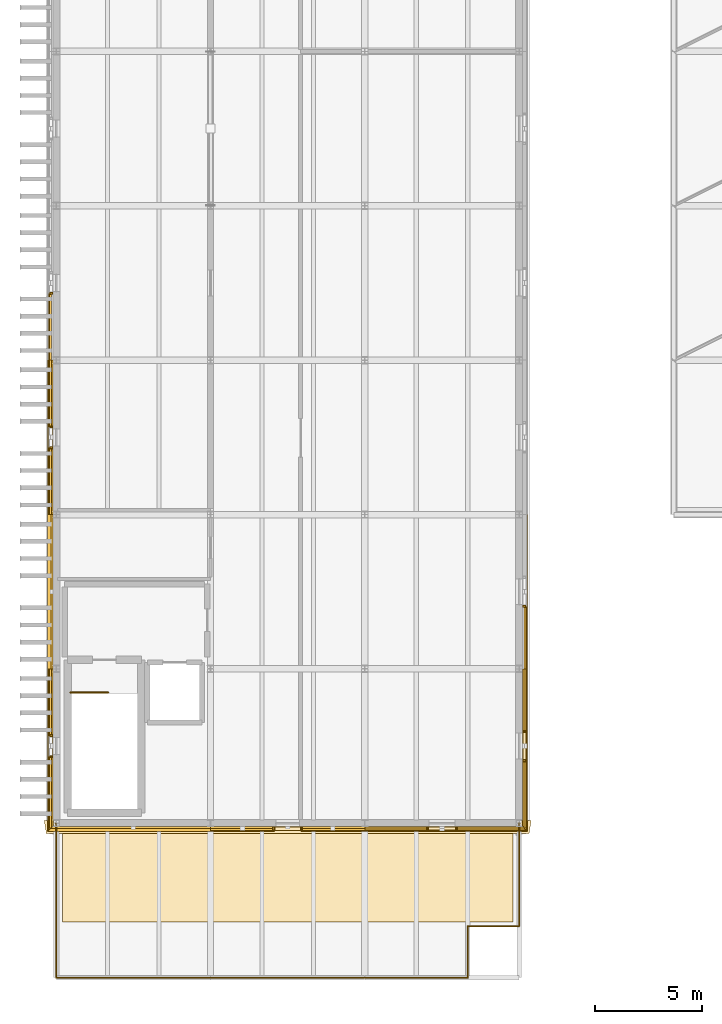
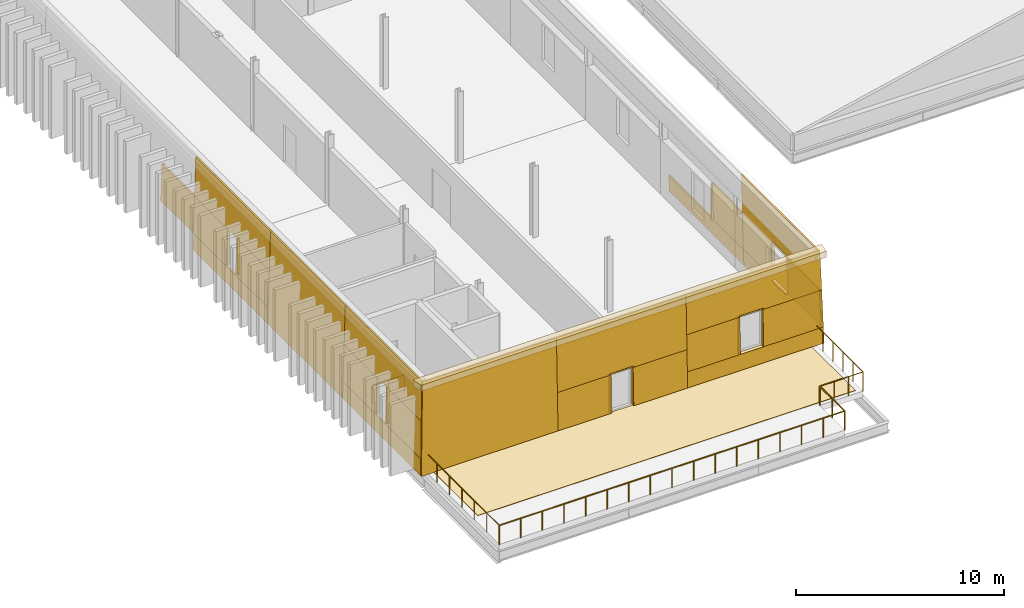
# One storey, part 37 of 44: 43 coverings, 6 railings.
"""IFC4 building model written with IfcOpenShell, lengths in metres."""

from ifc_helpers import new_model, si_unit, direction, frame, origin, origin_2d, place, context, subcontext, project, spatial, polyline, circle, outline, extrude, material, layer, layer_set, type_object, element, save


model = new_model("IFC4")

# Units and contexts
model_context = context("Model", 3, precision=1e-05, world=origin(), true_north=direction((0.0, 1.0)))
body_context = subcontext(model_context, "Body", "Model", "MODEL_VIEW")
ifc_project = project(units=[si_unit("LENGTHUNIT", "METRE"), si_unit("AREAUNIT", "SQUARE_METRE"), si_unit("VOLUMEUNIT", "CUBIC_METRE"), si_unit("PLANEANGLEUNIT", "RADIAN"), si_unit("MASSUNIT", "GRAM", prefix="KILO")], contexts=[model_context])

# Site, building, storey
site_placement = place(None, origin())
site = spatial("IfcSite", under=ifc_project, at=site_placement, CompositionType="ELEMENT")
building_placement = place(site_placement, origin())
building = spatial("IfcBuilding", under=site, at=building_placement, Name="Narikvali Park Central Library", CompositionType="ELEMENT")
storey_placement = place(building_placement, frame((0.0, 0.0, 22.800048828125)))
storey = spatial("IfcBuildingStorey", under=building, at=storey_placement, Name="L05", CompositionType="ELEMENT", Elevation=22.800048828125)

# Coverings
ifc_material_1 = material(Name="White Honed Limestone Cladding", Category="masonry")
ifc_layer_1 = layer(ifc_material_1, 0.0849609375, Name="White Honed Limestone Cladding")
ifc_layer_set_1 = layer_set([ifc_layer_1], Name="White Honed Limestone Cladding")
covering_type_1 = type_object("IfcCoveringType", Name="Battered White Limestone Facade Cladding Panel", PredefinedType="CLADDING", material=ifc_layer_set_1)
covering_1_placement = place(storey_placement, frame((-0.393310546875, 42.806884765625, 0.0), z_axis=(0.0, -0.999598438818, 0.028336568457), x_axis=(1.0, 0.0, 0.0)))
element("IfcCovering", 1, at=covering_1_placement, inside=storey, type_object=covering_type_1, Name="V5 L05 S Battered Limestone Panel B01", PredefinedType="CLADDING", context=body_context, shape_type="SweptSolid", body=[
    extrude(outline(polyline([(0.0, 0.0), (7.59326171875, 0.0), (7.59326171875, 5.402071606007518), (0.1533203125, 5.402071606007518), (0.0, 0.0)])), origin(), (0.0, 0.0, -1.0), 0.0849609375),
])
for number, where, z_axis, x_axis, name in (
    (2, (7.199951171875, 42.806884765625, 0.0), (0.0, -0.999598724093, 0.028326503353), (1.0, 0.0, 0.0), "V5 L05 S Battered Portal Pier L B02"),
    (3, (11.409912109375, 42.806884765625, 0.0), (0.0, -0.999598724093, 0.028326503353), (1.0, 0.0, 0.0), "V5 L05 S Battered Portal Pier R B02"),
):
    element("IfcCovering", number, at=place(storey_placement, frame(where, z_axis=z_axis, x_axis=x_axis)), inside=storey, type_object=covering_type_1, Name=name, PredefinedType="CLADDING", context=body_context, shape_type="SweptSolid", body=[
        extrude(outline(polyline([(0.0, 0.0), (2.989990234375, 0.0), (2.989990234375, 2.2408894493218945), (0.0, 2.2408894493218945), (0.0, 0.0)])), origin(), (0.0, 0.0, -1.0), 0.0849609375),
    ])
covering_2_placement = place(storey_placement, frame((7.199951171875, 42.870361328125, 2.239990234375), z_axis=(0.0, -0.999598236532, 0.028343703377), x_axis=(1.0, 0.0, 0.0)))
element("IfcCovering", 4, at=covering_2_placement, inside=storey, type_object=covering_type_1, Name="V5 L05 S Battered Portal Header B02", PredefinedType="CLADDING", context=body_context, shape_type="SweptSolid", body=[
    extrude(outline(polyline([(0.0, 0.0), (7.199951171875, 0.0), (7.199951171875, 3.1611821568797516), (0.0, 3.1611821568797516), (0.0, 0.0)])), origin(), (0.0, 0.0, -1.0), 0.0849609375),
])
covering_3_placement = place(storey_placement, frame((14.39990234375, 42.806884765625, 0.0), z_axis=(0.0, -0.999600632529, 0.02825907725), x_axis=(1.0, 0.0, 0.0)))
element("IfcCovering", 5, at=covering_3_placement, inside=storey, type_object=covering_type_1, Name="V5 L05 S Battered Limestone Spandrel B03", PredefinedType="CLADDING", context=body_context, shape_type="SweptSolid", body=[
    extrude(outline(polyline([(0.0, 0.0), (7.59326171875, 0.0), (7.56640625, 0.9503307030441919), (0.0, 0.9503307030441919), (0.0, 0.0)])), origin(), (0.0, 0.0, -1.0), 0.0849609375),
])
covering_4_placement = place(storey_placement, frame((14.39990234375, 42.894775390625, 3.099853515625), z_axis=(0.0, -0.999598637315, 0.028329565456), x_axis=(1.0, 0.0, 0.0)))
element("IfcCovering", 6, at=covering_4_placement, inside=storey, type_object=covering_type_1, Name="V5 L05 S Battered Limestone Lintel B03", PredefinedType="CLADDING", context=body_context, shape_type="SweptSolid", body=[
    extrude(outline(polyline([(0.0, 0.0), (7.50537109375, 0.0), (7.440185546875, 2.3009723525676224), (0.0, 2.3009723525676224), (0.0, 0.0)])), origin(), (0.0, 0.0, -1.0), 0.0849609375),
])
covering_5_placement = place(storey_placement, frame((14.39990234375, 42.833740234375, 0.949951171875), z_axis=(0.0, -0.99959725493, 0.028378300447), x_axis=(1.0, 0.0, 0.0)))
element("IfcCovering", 7, at=covering_5_placement, inside=storey, type_object=covering_type_1, Name="V5 L05 S Battered Limestone Jamb Pier L B03", PredefinedType="CLADDING", context=body_context, shape_type="SweptSolid", body=[
    extrude(outline(polyline([(0.0, 0.0), (2.960205078125, 0.0), (2.960205078125, 2.150768555182125), (0.0, 2.150768555182125), (0.0, 0.0)])), origin(), (0.0, 0.0, -1.0), 0.0849609375),
])
covering_6_placement = place(storey_placement, frame((18.639892578125, 42.833740234375, 0.949951171875), z_axis=(0.0, -0.99959725493, 0.028378300447), x_axis=(1.0, 0.0, 0.0)))
element("IfcCovering", 8, at=covering_6_placement, inside=storey, type_object=covering_type_1, Name="V5 L05 S Battered Limestone Jamb Pier R B03", PredefinedType="CLADDING", context=body_context, shape_type="SweptSolid", body=[
    extrude(outline(polyline([(0.0, 0.0), (3.326416015625, 0.0), (3.265380859375, 2.150768555182125), (0.0, 2.150768555182125), (0.0, 0.0)])), origin(), (0.0, 0.0, -1.0), 0.0849609375),
])
covering_7_placement = place(storey_placement, frame((21.9931640625, 42.891845703125, 0.0), z_axis=(0.999600632529, 0.0, 0.02825907725), x_axis=(0.0, 1.0, 0.0)))
element("IfcCovering", 9, at=covering_7_placement, inside=storey, type_object=covering_type_1, Name="V5 L05 E Battered Limestone Spandrel B01", PredefinedType="CLADDING", context=body_context, shape_type="SweptSolid", body=[
    extrude(outline(polyline([(0.0, 0.0), (7.508056640625, 0.0), (7.508056640625, 0.9503307030441919), (0.02685546875, 0.9503307030441919), (0.0, 0.0)])), origin(), (0.0, 0.0, -1.0), 0.0849609375),
])
covering_8_placement = place(storey_placement, frame((21.9052734375, 42.979736328125, 3.099853515625), z_axis=(0.999598637315, 0.0, 0.028329565456), x_axis=(0.0, 1.0, 0.0)))
element("IfcCovering", 10, at=covering_8_placement, inside=storey, type_object=covering_type_1, Name="V5 L05 E Battered Limestone Lintel B01", PredefinedType="CLADDING", context=body_context, shape_type="SweptSolid", body=[
    extrude(outline(polyline([(0.0, 0.0), (7.420166015625, 0.0), (7.420166015625, 2.3009723525676224), (0.065185546875, 2.3009723525676224), (0.0, 0.0)])), origin(), (0.0, 0.0, -1.0), 0.0849609375),
])
covering_9_placement = place(storey_placement, frame((21.96630859375, 42.918701171875, 0.949951171875), z_axis=(0.99959725493, 0.0, 0.028378300447), x_axis=(0.0, 1.0, 0.0)))
element("IfcCovering", 11, at=covering_9_placement, inside=storey, type_object=covering_type_1, Name="V5 L05 E Battered Limestone Jamb Pier L B01", PredefinedType="CLADDING", context=body_context, shape_type="SweptSolid", body=[
    extrude(outline(polyline([(0.0, 0.0), (3.2412109375, 0.0), (3.2412109375, 2.150768555182125), (0.06103515625, 2.150768555182125), (0.0, 0.0)])), origin(), (0.0, 0.0, -1.0), 0.0849609375),
])
covering_10_placement = place(storey_placement, frame((21.96630859375, 47.43994140625, 0.949951171875), z_axis=(0.99959725493, 0.0, 0.028378300447), x_axis=(0.0, 1.0, 0.0)))
element("IfcCovering", 12, at=covering_10_placement, inside=storey, type_object=covering_type_1, Name="V5 L05 E Battered Limestone Jamb Pier R B01", PredefinedType="CLADDING", context=body_context, shape_type="SweptSolid", body=[
    extrude(outline(polyline([(0.0, 0.0), (2.9599609375, 0.0), (2.9599609375, 2.150768555182125), (0.0, 2.150768555182125), (0.0, 0.0)])), origin(), (0.0, 0.0, -1.0), 0.0849609375),
])
covering_11_placement = place(storey_placement, frame((21.9931640625, 50.39990234375, 0.0), z_axis=(0.999600632529, 0.0, 0.02825907725), x_axis=(0.0, 1.0, 0.0)))
element("IfcCovering", 13, at=covering_11_placement, inside=storey, type_object=covering_type_1, Name="V5 L05 E Battered Limestone Spandrel B02", PredefinedType="CLADDING", context=body_context, shape_type="SweptSolid", body=[
    extrude(outline(polyline([(0.0, 0.0), (7.2001953125, 0.0), (7.2001953125, 0.950330703044192), (0.0, 0.950330703044192), (0.0, 0.0)])), origin(), (0.0, 0.0, -1.0), 0.0849609375),
])
covering_12_placement = place(storey_placement, frame((21.96630859375, 50.39990234375, 0.949951171875), z_axis=(0.99959725493, 0.0, 0.028378300447), x_axis=(0.0, 1.0, 0.0)))
element("IfcCovering", 14, at=covering_12_placement, inside=storey, type_object=covering_type_1, Name="V5 L05 E Battered Limestone Jamb Pier L B02", PredefinedType="CLADDING", context=body_context, shape_type="SweptSolid", body=[
    extrude(outline(polyline([(0.0, 0.0), (2.960205078125, 0.0), (2.960205078125, 2.150768555182125), (0.0, 2.150768555182125), (0.0, 0.0)])), origin(), (0.0, 0.0, -1.0), 0.0849609375),
])
covering_13_placement = place(storey_placement, frame((-0.3662109375, 67.9599609375, 0.949951171875), z_axis=(-0.99959725493, 0.0, 0.028378300447), x_axis=(0.0, -1.0, 0.0)))
element("IfcCovering", 15, at=covering_13_placement, inside=storey, type_object=covering_type_1, Name="V5 L05 W Battered Limestone Jamb Pier R B06", PredefinedType="CLADDING", context=body_context, shape_type="SweptSolid", body=[
    extrude(outline(polyline([(0.0, 0.0), (3.159912109375, 0.0), (3.159912109375, 2.150768555182125), (0.0, 2.150768555182125), (0.0, 0.0)])), origin(), (0.0, 0.0, -1.0), 0.0849609375),
])
covering_14_placement = place(storey_placement, frame((-0.393310546875, 64.800048828125, 0.0), z_axis=(-0.999593342746, 0.0, 0.028515769994), x_axis=(0.0, -1.0, 0.0)))
element("IfcCovering", 16, at=covering_14_placement, inside=storey, type_object=covering_type_1, Name="V5 L05 W Battered Limestone Spandrel B07", PredefinedType="CLADDING", context=body_context, shape_type="SweptSolid", body=[
    extrude(outline(polyline([(0.0, 0.0), (7.199951171875, 0.0), (7.199951171875, 0.9503376335676513), (0.0, 0.9503376335676513), (0.0, 0.0)])), origin(), (0.0, 0.0, -1.0), 0.0849609375),
])
covering_15_placement = place(storey_placement, frame((-0.30517578125, 64.800048828125, 3.099853515625), z_axis=(-0.999598637315, 0.0, 0.028329565456), x_axis=(0.0, -1.0, 0.0)))
element("IfcCovering", 17, at=covering_15_placement, inside=storey, type_object=covering_type_1, Name="V5 L05 W Battered Limestone Lintel B07", PredefinedType="CLADDING", context=body_context, shape_type="SweptSolid", body=[
    extrude(outline(polyline([(0.0, 0.0), (7.199951171875, 0.0), (7.199951171875, 2.3009723525676224), (0.0, 2.3009723525676224), (0.0, 0.0)])), origin(), (0.0, 0.0, -1.0), 0.0849609375),
])
covering_16_placement = place(storey_placement, frame((-0.3662109375, 64.800048828125, 0.949951171875), z_axis=(-0.99959725493, 0.0, 0.028378300447), x_axis=(0.0, -1.0, 0.0)))
element("IfcCovering", 18, at=covering_16_placement, inside=storey, type_object=covering_type_1, Name="V5 L05 W Battered Limestone Jamb Pier L B07", PredefinedType="CLADDING", context=body_context, shape_type="SweptSolid", body=[
    extrude(outline(polyline([(0.0, 0.0), (3.16015625, 0.0), (3.16015625, 2.150768555182125), (0.0, 2.150768555182125), (0.0, 0.0)])), origin(), (0.0, 0.0, -1.0), 0.0849609375),
])
covering_17_placement = place(storey_placement, frame((-0.3662109375, 60.760009765625, 0.949951171875), z_axis=(-0.99959725493, 0.0, 0.028378300447), x_axis=(0.0, -1.0, 0.0)))
element("IfcCovering", 19, at=covering_17_placement, inside=storey, type_object=covering_type_1, Name="V5 L05 W Battered Limestone Jamb Pier R B07", PredefinedType="CLADDING", context=body_context, shape_type="SweptSolid", body=[
    extrude(outline(polyline([(0.0, 0.0), (3.159912109375, 0.0), (3.159912109375, 2.150768555182125), (0.0, 2.150768555182125), (0.0, 0.0)])), origin(), (0.0, 0.0, -1.0), 0.0849609375),
])
covering_18_placement = place(storey_placement, frame((-0.393310546875, 57.60009765625, 0.0), z_axis=(-0.999597157674, 0.0, 0.028381725971), x_axis=(0.0, -1.0, 0.0)))
element("IfcCovering", 20, at=covering_18_placement, inside=storey, type_object=covering_type_1, Name="V5 L05 W Battered Limestone Panel B08", PredefinedType="CLADDING", context=body_context, shape_type="SweptSolid", body=[
    extrude(outline(polyline([(0.0, 0.0), (7.2001953125, 0.0), (7.2001953125, 5.402078529627447), (0.0, 5.402078529627447), (0.0, 0.0)])), origin(), (0.0, 0.0, -1.0), 0.0849609375),
])
covering_19_placement = place(storey_placement, frame((-0.393310546875, 50.39990234375, 0.0), z_axis=(-0.999593342746, 0.0, 0.028515769994), x_axis=(0.0, -1.0, 0.0)))
element("IfcCovering", 21, at=covering_19_placement, inside=storey, type_object=covering_type_1, Name="V5 L05 W Battered Limestone Spandrel B09", PredefinedType="CLADDING", context=body_context, shape_type="SweptSolid", body=[
    extrude(outline(polyline([(0.0, 0.0), (7.508056640625, 0.0), (7.481201171875, 0.9503376335676512), (0.0, 0.9503376335676512), (0.0, 0.0)])), origin(), (0.0, 0.0, -1.0), 0.0849609375),
])
covering_20_placement = place(storey_placement, frame((-0.30517578125, 50.39990234375, 3.099853515625), z_axis=(-0.999598637315, 0.0, 0.028329565456), x_axis=(0.0, -1.0, 0.0)))
element("IfcCovering", 22, at=covering_20_placement, inside=storey, type_object=covering_type_1, Name="V5 L05 W Battered Limestone Lintel B09", PredefinedType="CLADDING", context=body_context, shape_type="SweptSolid", body=[
    extrude(outline(polyline([(0.0, 0.0), (7.420166015625, 0.0), (7.35498046875, 2.3009723525676224), (0.0, 2.3009723525676224), (0.0, 0.0)])), origin(), (0.0, 0.0, -1.0), 0.0849609375),
])
covering_21_placement = place(storey_placement, frame((-0.3662109375, 50.39990234375, 0.949951171875), z_axis=(-0.99959725493, 0.0, 0.028378300447), x_axis=(0.0, -1.0, 0.0)))
element("IfcCovering", 23, at=covering_21_placement, inside=storey, type_object=covering_type_1, Name="V5 L05 W Battered Limestone Jamb Pier L B09", PredefinedType="CLADDING", context=body_context, shape_type="SweptSolid", body=[
    extrude(outline(polyline([(0.0, 0.0), (3.159912109375, 0.0), (3.159912109375, 2.150768555182125), (0.0, 2.150768555182125), (0.0, 0.0)])), origin(), (0.0, 0.0, -1.0), 0.0849609375),
])
covering_22_placement = place(storey_placement, frame((-0.3662109375, 46.360107421875, 0.949951171875), z_axis=(-0.99959725493, 0.0, 0.028378300447), x_axis=(0.0, -1.0, 0.0)))
element("IfcCovering", 24, at=covering_22_placement, inside=storey, type_object=covering_type_1, Name="V5 L05 W Battered Limestone Jamb Pier R B09", PredefinedType="CLADDING", context=body_context, shape_type="SweptSolid", body=[
    extrude(outline(polyline([(0.0, 0.0), (3.44140625, 0.0), (3.38037109375, 2.150768555182125), (0.0, 2.150768555182125), (0.0, 0.0)])), origin(), (0.0, 0.0, -1.0), 0.0849609375),
])
ifc_material_2 = material(Name="White Carved Limestone Cornice", Category="masonry")
ifc_layer_2 = layer(ifc_material_2, 0.360107421875, Name="White Carved Limestone Cornice")
ifc_layer_set_2 = layer_set([ifc_layer_2], Name="White Carved Limestone Cornice")
covering_type_2 = type_object("IfcCoveringType", Name="Classical Projecting White Limestone Cornice", PredefinedType="CLADDING", material=ifc_layer_set_2)
covering_23_placement = place(storey_placement, frame((0.0, 0.0, 5.079833984375)))
element("IfcCovering", 25, at=covering_23_placement, inside=storey, type_object=covering_type_2, Name="V5 Main Hall of Books Classical Roof Cornice S", PredefinedType="CLADDING", context=body_context, shape_type="SweptSolid", body=[
    extrude(outline(polyline([(-0.56005859375, 43.340087890625), (22.159912109375, 43.340087890625), (22.06005859375, 42.719970703125), (-0.4599609375, 42.719970703125), (-0.56005859375, 43.340087890625)])), origin(), (0.0, 0.0, 1.0), 0.360107421875),
])
ifc_layer_3 = layer(ifc_material_1, 0.080078125, Name="White Honed Limestone Cladding")
ifc_layer_set_3 = layer_set([ifc_layer_3], Name="White Honed Limestone Cladding")
covering_type_3 = type_object("IfcCoveringType", Name="Deep Carved White Limestone Window Reveal", PredefinedType="CLADDING", material=ifc_layer_set_3)
covering_24_placement = place(storey_placement, frame((0.0, 0.0, 2.239990234375)))
element("IfcCovering", 26, at=covering_24_placement, inside=storey, type_object=covering_type_3, Name="Deep Stone Reveal Head V5-RVL-L05-S-B02", PredefinedType="CLADDING", context=body_context, shape_type="SweptSolid", body=[
    extrude(outline(polyline([(10.14990234375, 43.034912109375), (11.449951171875, 43.034912109375), (11.449951171875, 42.870361328125), (10.14990234375, 42.870361328125), (10.14990234375, 43.034912109375)])), origin(), (0.0, 0.0, 1.0), 0.080078125),
])
covering_25_placement = place(storey_placement, frame((0.0, 0.0, 0.02001953125)))
element("IfcCovering", 27, at=covering_25_placement, inside=storey, type_object=covering_type_3, Name="Deep Stone Reveal Jamb L V5-RVL-L05-S-B02", PredefinedType="CLADDING", context=body_context, shape_type="SweptSolid", body=[
    extrude(outline(polyline([(10.110107421875, 43.034912109375), (10.18994140625, 43.034912109375), (10.18994140625, 42.870361328125), (10.110107421875, 42.870361328125), (10.110107421875, 43.034912109375)])), origin(), (0.0, 0.0, 1.0), 2.219970703125),
])
covering_26_placement = place(storey_placement, frame((0.0, 0.0, 0.02001953125)))
element("IfcCovering", 28, at=covering_26_placement, inside=storey, type_object=covering_type_3, Name="Deep Stone Reveal Jamb R V5-RVL-L05-S-B02", PredefinedType="CLADDING", context=body_context, shape_type="SweptSolid", body=[
    extrude(outline(polyline([(11.409912109375, 43.034912109375), (11.489990234375, 43.034912109375), (11.489990234375, 42.870361328125), (11.409912109375, 42.870361328125), (11.409912109375, 43.034912109375)])), origin(), (0.0, 0.0, 1.0), 2.219970703125),
])
covering_27_placement = place(storey_placement, frame((0.0, 0.0, 3.099853515625)))
element("IfcCovering", 29, at=covering_27_placement, inside=storey, type_object=covering_type_3, Name="Deep Stone Reveal Head V5-RVL-L05-S-B03", PredefinedType="CLADDING", context=body_context, shape_type="SweptSolid", body=[
    extrude(outline(polyline([(17.320068359375, 43.034912109375), (18.679931640625, 43.034912109375), (18.679931640625, 42.894775390625), (17.320068359375, 42.894775390625), (17.320068359375, 43.034912109375)])), origin(), (0.0, 0.0, 1.0), 0.080078125),
])
covering_28_placement = place(storey_placement, frame((0.0, 0.0, 0.869873046875)))
element("IfcCovering", 30, at=covering_28_placement, inside=storey, type_object=covering_type_3, Name="Deep Stone Reveal Sill V5-RVL-L05-S-B03", PredefinedType="CLADDING", context=body_context, shape_type="SweptSolid", body=[
    extrude(outline(polyline([(17.320068359375, 43.034912109375), (18.679931640625, 43.034912109375), (18.679931640625, 42.833740234375), (17.320068359375, 42.833740234375), (17.320068359375, 43.034912109375)])), origin(), (0.0, 0.0, 1.0), 0.080078125),
])
covering_29_placement = place(storey_placement, frame((0.0, 0.0, 0.949951171875)))
element("IfcCovering", 31, at=covering_29_placement, inside=storey, type_object=covering_type_3, Name="Deep Stone Reveal Jamb L V5-RVL-L05-S-B03", PredefinedType="CLADDING", context=body_context, shape_type="SweptSolid", body=[
    extrude(outline(polyline([(17.280029296875, 43.034912109375), (17.360107421875, 43.034912109375), (17.360107421875, 42.894775390625), (17.280029296875, 42.894775390625), (17.280029296875, 43.034912109375)])), origin(), (0.0, 0.0, 1.0), 2.14990234375),
])
covering_30_placement = place(storey_placement, frame((0.0, 0.0, 0.949951171875)))
element("IfcCovering", 32, at=covering_30_placement, inside=storey, type_object=covering_type_3, Name="Deep Stone Reveal Jamb R V5-RVL-L05-S-B03", PredefinedType="CLADDING", context=body_context, shape_type="SweptSolid", body=[
    extrude(outline(polyline([(18.639892578125, 43.034912109375), (18.719970703125, 43.034912109375), (18.719970703125, 42.894775390625), (18.639892578125, 42.894775390625), (18.639892578125, 43.034912109375)])), origin(), (0.0, 0.0, 1.0), 2.14990234375),
])
covering_31_placement = place(storey_placement, frame((0.0, 0.0, 3.099853515625)))
element("IfcCovering", 33, at=covering_31_placement, inside=storey, type_object=covering_type_3, Name="Deep Stone Reveal Head V5-RVL-L05-E-B01", PredefinedType="CLADDING", context=body_context, shape_type="SweptSolid", body=[
    extrude(outline(polyline([(21.764892578125, 46.1201171875), (21.764892578125, 47.47998046875), (21.9052734375, 47.47998046875), (21.9052734375, 46.1201171875), (21.764892578125, 46.1201171875)])), origin(), (0.0, 0.0, 1.0), 0.080078125),
])
covering_32_placement = place(storey_placement, frame((0.0, 0.0, 0.869873046875)))
element("IfcCovering", 34, at=covering_32_placement, inside=storey, type_object=covering_type_3, Name="Deep Stone Reveal Sill V5-RVL-L05-E-B01", PredefinedType="CLADDING", context=body_context, shape_type="SweptSolid", body=[
    extrude(outline(polyline([(21.764892578125, 46.1201171875), (21.764892578125, 47.47998046875), (21.96630859375, 47.47998046875), (21.96630859375, 46.1201171875), (21.764892578125, 46.1201171875)])), origin(), (0.0, 0.0, 1.0), 0.080078125),
])
covering_33_placement = place(storey_placement, frame((0.0, 0.0, 0.949951171875)))
element("IfcCovering", 35, at=covering_33_placement, inside=storey, type_object=covering_type_3, Name="Deep Stone Reveal Jamb L V5-RVL-L05-E-B01", PredefinedType="CLADDING", context=body_context, shape_type="SweptSolid", body=[
    extrude(outline(polyline([(21.764892578125, 46.080078125), (21.764892578125, 46.159912109375), (21.9052734375, 46.159912109375), (21.9052734375, 46.080078125), (21.764892578125, 46.080078125)])), origin(), (0.0, 0.0, 1.0), 2.14990234375),
])
covering_34_placement = place(storey_placement, frame((0.0, 0.0, 0.949951171875)))
element("IfcCovering", 36, at=covering_34_placement, inside=storey, type_object=covering_type_3, Name="Deep Stone Reveal Jamb R V5-RVL-L05-E-B01", PredefinedType="CLADDING", context=body_context, shape_type="SweptSolid", body=[
    extrude(outline(polyline([(21.764892578125, 47.43994140625), (21.764892578125, 47.52001953125), (21.9052734375, 47.52001953125), (21.9052734375, 47.43994140625), (21.764892578125, 47.43994140625)])), origin(), (0.0, 0.0, 1.0), 2.14990234375),
])
covering_35_placement = place(storey_placement, frame((0.0, 0.0, 0.949951171875)))
element("IfcCovering", 37, at=covering_35_placement, inside=storey, type_object=covering_type_3, Name="Deep Stone Reveal Jamb L V5-RVL-L05-E-B02", PredefinedType="CLADDING", context=body_context, shape_type="SweptSolid", body=[
    extrude(outline(polyline([(21.764892578125, 53.280029296875), (21.764892578125, 53.360107421875), (21.9052734375, 53.360107421875), (21.9052734375, 53.280029296875), (21.764892578125, 53.280029296875)])), origin(), (0.0, 0.0, 1.0), 2.14990234375),
])
covering_36_placement = place(storey_placement, frame((0.0, 0.0, 0.949951171875)))
element("IfcCovering", 38, at=covering_36_placement, inside=storey, type_object=covering_type_3, Name="Deep Stone Reveal Jamb R V5-RVL-L05-W-B06", PredefinedType="CLADDING", context=body_context, shape_type="SweptSolid", body=[
    extrude(outline(polyline([(-0.1650390625, 67.9599609375), (-0.1650390625, 67.8798828125), (-0.30517578125, 67.8798828125), (-0.30517578125, 67.9599609375), (-0.1650390625, 67.9599609375)])), origin(), (0.0, 0.0, 1.0), 2.14990234375),
])
covering_37_placement = place(storey_placement, frame((0.0, 0.0, 0.949951171875)))
element("IfcCovering", 39, at=covering_37_placement, inside=storey, type_object=covering_type_3, Name="Deep Stone Reveal Jamb L V5-RVL-L05-W-B07", PredefinedType="CLADDING", context=body_context, shape_type="SweptSolid", body=[
    extrude(outline(polyline([(-0.1650390625, 61.719970703125), (-0.1650390625, 61.639892578125), (-0.30517578125, 61.639892578125), (-0.30517578125, 61.719970703125), (-0.1650390625, 61.719970703125)])), origin(), (0.0, 0.0, 1.0), 2.14990234375),
])
covering_38_placement = place(storey_placement, frame((0.0, 0.0, 0.949951171875)))
element("IfcCovering", 40, at=covering_38_placement, inside=storey, type_object=covering_type_3, Name="Deep Stone Reveal Jamb R V5-RVL-L05-W-B07", PredefinedType="CLADDING", context=body_context, shape_type="SweptSolid", body=[
    extrude(outline(polyline([(-0.1650390625, 60.760009765625), (-0.1650390625, 60.679931640625), (-0.30517578125, 60.679931640625), (-0.30517578125, 60.760009765625), (-0.1650390625, 60.760009765625)])), origin(), (0.0, 0.0, 1.0), 2.14990234375),
])
covering_39_placement = place(storey_placement, frame((0.0, 0.0, 0.949951171875)))
element("IfcCovering", 41, at=covering_39_placement, inside=storey, type_object=covering_type_3, Name="Deep Stone Reveal Jamb L V5-RVL-L05-W-B09", PredefinedType="CLADDING", context=body_context, shape_type="SweptSolid", body=[
    extrude(outline(polyline([(-0.1650390625, 47.320068359375), (-0.1650390625, 47.239990234375), (-0.30517578125, 47.239990234375), (-0.30517578125, 47.320068359375), (-0.1650390625, 47.320068359375)])), origin(), (0.0, 0.0, 1.0), 2.14990234375),
])
covering_40_placement = place(storey_placement, frame((0.0, 0.0, 0.949951171875)))
element("IfcCovering", 42, at=covering_40_placement, inside=storey, type_object=covering_type_3, Name="Deep Stone Reveal Jamb R V5-RVL-L05-W-B09", PredefinedType="CLADDING", context=body_context, shape_type="SweptSolid", body=[
    extrude(outline(polyline([(-0.1650390625, 46.360107421875), (-0.1650390625, 46.280029296875), (-0.30517578125, 46.280029296875), (-0.30517578125, 46.360107421875), (-0.1650390625, 46.360107421875)])), origin(), (0.0, 0.0, 1.0), 2.14990234375),
])
ifc_material_3 = material(Name="Root-Resistant EPDM Waterproofing Membrane")
ifc_layer_4 = layer(ifc_material_3, 0.02490234375, Name="Root-Resistant EPDM Waterproofing Membrane")
ifc_layer_set_4 = layer_set([ifc_layer_4], Name="Root-Resistant EPDM Waterproofing Membrane")
covering_type_4 = type_object("IfcCoveringType", Name="Planted Roof Waterproofing Membrane", PredefinedType="MEMBRANE", material=ifc_layer_set_4)
covering_41_placement = place(storey_placement, origin())
element("IfcCovering", 43, at=covering_41_placement, inside=storey, type_object=covering_type_4, Name="V5 L05 Terrace EPDM Membrane", PredefinedType="MEMBRANE", context=body_context, shape_type="SweptSolid", body=[
    extrude(outline(polyline([(0.300048828125, 38.60009765625), (21.300048828125, 38.60009765625), (21.300048828125, 42.89990234375), (0.300048828125, 42.89990234375), (0.300048828125, 38.60009765625)])), origin(), (0.0, 0.0, 1.0), 0.02490234375),
])

# Railings
ifc_material_4 = material(Name="Powder-Coated Steel S275", Category="steel")
ifc_layer_5 = layer(ifc_material_4, 0.050048828125, Name="Powder-Coated Steel S275")
ifc_layer_set_5 = layer_set([ifc_layer_5], Name="Powder-Coated Steel S275")
railing_type_1 = type_object("IfcRailingType", Name="Stair Well Steel Guardrail 1100", PredefinedType="GUARDRAIL", material=ifc_layer_set_5)
railing_1_placement = place(storey_placement, frame((0.64990234375, 49.300048828125, 0.0)))
element("IfcRailing", 44, at=railing_1_placement, inside=storey, type_object=railing_type_1, Name="L05 ST-09 top well guard 1", PredefinedType="GUARDRAIL", context=body_context, shape_type="SweptSolid", body=[
    extrude(circle(Radius=0.02392578125, at=origin_2d()), frame((0.0, 0.0, 1.076171875), z_axis=(1.0, 0.0, 0.0), x_axis=(0.0, 1.0, 0.0)), (0.0, 0.0, 1.0), 1.780029296875),
    extrude(circle(Radius=0.02099609375, at=origin_2d()), origin(), (0.0, 0.0, 1.0), 1.052001953125),
    extrude(circle(Radius=0.02099609375, at=origin_2d()), frame((0.89013671875, 0.0, 0.0)), (0.0, 0.0, 1.0), 1.052001953125),
    extrude(circle(Radius=0.02099609375, at=origin_2d()), frame((1.780029296875, 0.0, 0.0)), (0.0, 0.0, 1.0), 1.052001953125),
])
ifc_material_5 = material(Name="Anodised Bronze and White Limestone", Category="masonry")
ifc_layer_6 = layer(ifc_material_5, 0.080078125, Name="Anodised Bronze and White Limestone")
ifc_layer_set_6 = layer_set([ifc_layer_6], Name="Anodised Bronze and White Limestone")
railing_type_2 = type_object("IfcRailingType", Name="Terrace Stone and Bronze Balustrade 1150", PredefinedType="BALUSTRADE", material=ifc_layer_set_6)
railing_2_placement = place(storey_placement, frame((0.0, 36.0, 0.0)))
element("IfcRailing", 45, at=railing_2_placement, inside=storey, type_object=railing_type_2, Name="V5 L05 Roof Garden Balustrade 1", PredefinedType="BALUSTRADE", context=body_context, shape_type="SweptSolid", body=[
    extrude(circle(Radius=0.02392578125, at=origin_2d()), frame((0.0, 0.0, 1.1259765625), z_axis=(1.0, 0.0, 0.0), x_axis=(0.0, 1.0, 0.0)), (0.0, 0.0, 1.0), 19.199951171875),
    extrude(circle(Radius=0.02099609375, at=origin_2d()), origin(), (0.0, 0.0, 1.0), 1.101806640625),
    extrude(circle(Radius=0.02099609375, at=origin_2d()), frame((1.199951171875, 0.0, 0.0)), (0.0, 0.0, 1.0), 1.101806640625),
    extrude(circle(Radius=0.02099609375, at=origin_2d()), frame((2.39990234375, 0.0, 0.0)), (0.0, 0.0, 1.0), 1.101806640625),
    extrude(circle(Radius=0.02099609375, at=origin_2d()), frame((3.60009765625, 0.0, 0.0)), (0.0, 0.0, 1.0), 1.101806640625),
    extrude(circle(Radius=0.02099609375, at=origin_2d()), frame((4.800048828125, 0.0, 0.0)), (0.0, 0.0, 1.0), 1.101806640625),
    extrude(circle(Radius=0.02099609375, at=origin_2d()), frame((6.0, 0.0, 0.0)), (0.0, 0.0, 1.0), 1.101806640625),
    extrude(circle(Radius=0.02099609375, at=origin_2d()), frame((7.199951171875, 0.0, 0.0)), (0.0, 0.0, 1.0), 1.101806640625),
    extrude(circle(Radius=0.02099609375, at=origin_2d()), frame((8.39990234375, 0.0, 0.0)), (0.0, 0.0, 1.0), 1.101806640625),
    extrude(circle(Radius=0.02099609375, at=origin_2d()), frame((9.60009765625, 0.0, 0.0)), (0.0, 0.0, 1.0), 1.101806640625),
    extrude(circle(Radius=0.02099609375, at=origin_2d()), frame((10.800048828125, 0.0, 0.0)), (0.0, 0.0, 1.0), 1.101806640625),
    extrude(circle(Radius=0.02099609375, at=origin_2d()), frame((12.0, 0.0, 0.0)), (0.0, 0.0, 1.0), 1.101806640625),
    extrude(circle(Radius=0.02099609375, at=origin_2d()), frame((13.199951171875, 0.0, 0.0)), (0.0, 0.0, 1.0), 1.101806640625),
    extrude(circle(Radius=0.02099609375, at=origin_2d()), frame((14.39990234375, 0.0, 0.0)), (0.0, 0.0, 1.0), 1.101806640625),
    extrude(circle(Radius=0.02099609375, at=origin_2d()), frame((15.599853515625, 0.0, 0.0)), (0.0, 0.0, 1.0), 1.101806640625),
    extrude(circle(Radius=0.02099609375, at=origin_2d()), frame((16.800048828125, 0.0, 0.0)), (0.0, 0.0, 1.0), 1.101806640625),
    extrude(circle(Radius=0.02099609375, at=origin_2d()), frame((18.0, 0.0, 0.0)), (0.0, 0.0, 1.0), 1.101806640625),
    extrude(circle(Radius=0.02099609375, at=origin_2d()), frame((19.199951171875, 0.0, 0.0)), (0.0, 0.0, 1.0), 1.101806640625),
])
railing_3_placement = place(storey_placement, frame((19.199951171875, 36.0, 0.0)))
element("IfcRailing", 46, at=railing_3_placement, inside=storey, type_object=railing_type_2, Name="V5 L05 Roof Garden Balustrade 2", PredefinedType="BALUSTRADE", context=body_context, shape_type="SweptSolid", body=[
    extrude(circle(Radius=0.02392578125, at=origin_2d()), frame((0.0, 0.0, 1.1259765625), z_axis=(0.0, 1.0, 0.0), x_axis=(-1.0, 0.0, 0.0)), (0.0, 0.0, 1.0), 2.39990234375),
    extrude(circle(Radius=0.02099609375, at=origin_2d()), origin(), (0.0, 0.0, 1.0), 1.101806640625),
    extrude(circle(Radius=0.02099609375, at=origin_2d()), frame((0.0, 1.199951171875, 0.0)), (0.0, 0.0, 1.0), 1.101806640625),
    extrude(circle(Radius=0.02099609375, at=origin_2d()), frame((0.0, 2.39990234375, 0.0)), (0.0, 0.0, 1.0), 1.101806640625),
])
railing_4_placement = place(storey_placement, frame((19.199951171875, 38.39990234375, 0.0)))
element("IfcRailing", 47, at=railing_4_placement, inside=storey, type_object=railing_type_2, Name="V5 L05 Roof Garden Balustrade 3", PredefinedType="BALUSTRADE", context=body_context, shape_type="SweptSolid", body=[
    extrude(circle(Radius=0.02392578125, at=origin_2d()), frame((0.0, 0.0, 1.1259765625), z_axis=(1.0, 0.0, 0.0), x_axis=(0.0, 1.0, 0.0)), (0.0, 0.0, 1.0), 2.400146484375),
    extrude(circle(Radius=0.02099609375, at=origin_2d()), origin(), (0.0, 0.0, 1.0), 1.101806640625),
    extrude(circle(Radius=0.02099609375, at=origin_2d()), frame((0.800048828125, 0.0, 0.0)), (0.0, 0.0, 1.0), 1.101806640625),
    extrude(circle(Radius=0.02099609375, at=origin_2d()), frame((1.60009765625, 0.0, 0.0)), (0.0, 0.0, 1.0), 1.101806640625),
    extrude(circle(Radius=0.02099609375, at=origin_2d()), frame((2.400146484375, 0.0, 0.0)), (0.0, 0.0, 1.0), 1.101806640625),
])
railing_5_placement = place(storey_placement, frame((21.60009765625, 38.39990234375, 0.0)))
element("IfcRailing", 48, at=railing_5_placement, inside=storey, type_object=railing_type_2, Name="V5 L05 Roof Garden Balustrade 4", PredefinedType="BALUSTRADE", context=body_context, shape_type="SweptSolid", body=[
    extrude(circle(Radius=0.02392578125, at=origin_2d()), frame((0.0, 0.0, 1.1259765625), z_axis=(0.0, 1.0, 0.0), x_axis=(-1.0, 0.0, 0.0)), (0.0, 0.0, 1.0), 4.800048828125),
    extrude(circle(Radius=0.02099609375, at=origin_2d()), origin(), (0.0, 0.0, 1.0), 1.101806640625),
    extrude(circle(Radius=0.02099609375, at=origin_2d()), frame((0.0, 0.9599609375, 0.0)), (0.0, 0.0, 1.0), 1.101806640625),
    extrude(circle(Radius=0.02099609375, at=origin_2d()), frame((0.0, 1.919921875, 0.0)), (0.0, 0.0, 1.0), 1.101806640625),
    extrude(circle(Radius=0.02099609375, at=origin_2d()), frame((0.0, 2.880126953125, 0.0)), (0.0, 0.0, 1.0), 1.101806640625),
    extrude(circle(Radius=0.02099609375, at=origin_2d()), frame((0.0, 3.840087890625, 0.0)), (0.0, 0.0, 1.0), 1.101806640625),
    extrude(circle(Radius=0.02099609375, at=origin_2d()), frame((0.0, 4.800048828125, 0.0)), (0.0, 0.0, 1.0), 1.101806640625),
])
railing_6_placement = place(storey_placement, frame((0.0, 43.199951171875, 0.0)))
element("IfcRailing", 49, at=railing_6_placement, inside=storey, type_object=railing_type_2, Name="V5 L05 Roof Garden Balustrade 6", PredefinedType="BALUSTRADE", context=body_context, shape_type="SweptSolid", body=[
    extrude(circle(Radius=0.02392578125, at=origin_2d()), frame((0.0, 0.0, 1.1259765625), z_axis=(0.0, -1.0, 0.0), x_axis=(1.0, 0.0, 0.0)), (0.0, 0.0, 1.0), 7.199951171875),
    extrude(circle(Radius=0.02099609375, at=origin_2d()), origin(), (0.0, 0.0, 1.0), 1.101806640625),
    extrude(circle(Radius=0.02099609375, at=origin_2d()), frame((0.0, -1.199951171875, 0.0)), (0.0, 0.0, 1.0), 1.101806640625),
    extrude(circle(Radius=0.02099609375, at=origin_2d()), frame((0.0, -2.39990234375, 0.0)), (0.0, 0.0, 1.0), 1.101806640625),
    extrude(circle(Radius=0.02099609375, at=origin_2d()), frame((0.0, -3.60009765625, 0.0)), (0.0, 0.0, 1.0), 1.101806640625),
    extrude(circle(Radius=0.02099609375, at=origin_2d()), frame((0.0, -4.800048828125, 0.0)), (0.0, 0.0, 1.0), 1.101806640625),
    extrude(circle(Radius=0.02099609375, at=origin_2d()), frame((0.0, -6.0, 0.0)), (0.0, 0.0, 1.0), 1.101806640625),
    extrude(circle(Radius=0.02099609375, at=origin_2d()), frame((0.0, -7.199951171875, 0.0)), (0.0, 0.0, 1.0), 1.101806640625),
])

save(model, "model.ifc")
